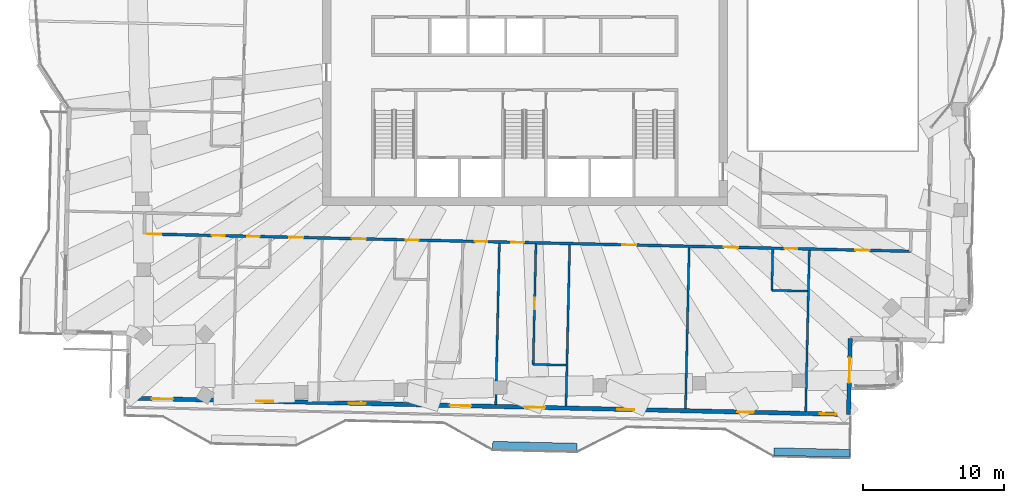
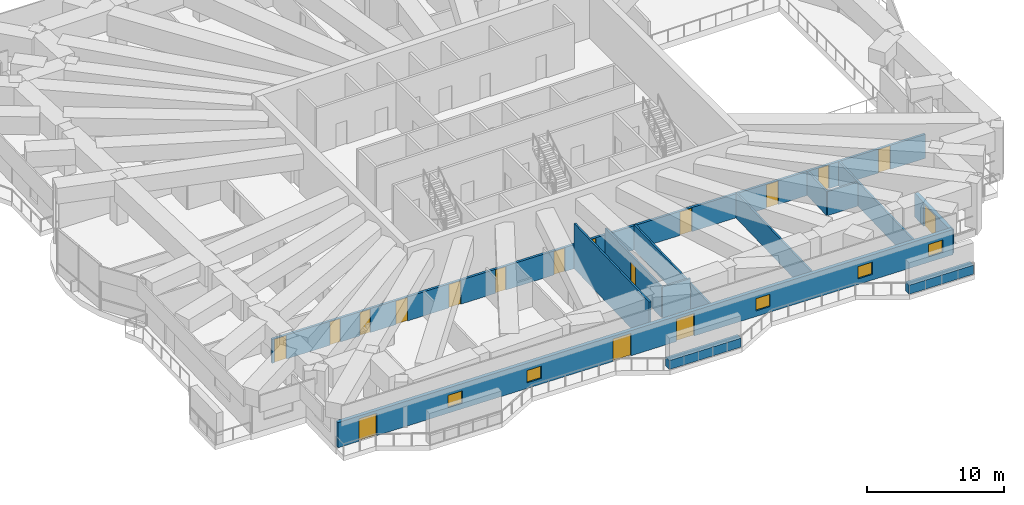
# One storey, part 10 of 20: 17 doors, 13 walls, 5 windows, 22 openings.
"""IFC4 building model written with IfcOpenShell, lengths in metres."""

from ifc_helpers import new_model, si_unit, direction, frame, frame_2d, origin, place, context, subcontext, project, spatial, rectangle, extrude, material, layer, layer_set, type_object, element, fill, save


model = new_model("IFC4")

# Units and contexts
model_context = context("Model", 3, precision=1e-05, world=origin(), true_north=direction((0.0, 1.0)))
body_context = subcontext(model_context, "Body", "Model", "MODEL_VIEW")
ifc_project = project(units=[si_unit("LENGTHUNIT", "METRE"), si_unit("AREAUNIT", "SQUARE_METRE"), si_unit("VOLUMEUNIT", "CUBIC_METRE"), si_unit("PLANEANGLEUNIT", "RADIAN"), si_unit("MASSUNIT", "GRAM", prefix="KILO")], contexts=[model_context])

# Site, building, storey
site_placement = place(None, origin())
site = spatial("IfcSite", under=ifc_project, at=site_placement, CompositionType="ELEMENT")
building_placement = place(site_placement, origin())
building = spatial("IfcBuilding", under=site, at=building_placement, Name="Mangrove Gate Tower", CompositionType="ELEMENT")
storey_placement = place(building_placement, frame((0.0, 0.0, 301.5)))
storey = spatial("IfcBuildingStorey", under=building, at=storey_placement, Name="L77", CompositionType="ELEMENT", Elevation=301.5)

# Wall, openings, doors
ifc_material_1 = material(Name="Gypsum board on steel stud, EI 60", Category="steel")
ifc_layer_1 = layer(ifc_material_1, 0.199951171875)
ifc_layer_set_1 = layer_set([ifc_layer_1], Name="Corridor wall EI 60")
wall_type_1 = type_object("IfcWallType", Name="Corridor wall EI 60", PredefinedType="PARTITIONING", material=ifc_layer_set_1)
wall_1_placement = place(storey_placement, frame((-27.05810546875, -13.426025390625, 0.0), z_axis=(0.0, 0.0, 1.0), x_axis=(0.999742445627, -0.022694545867, 0.0)))
wall_1 = element("IfcWall", 1, at=wall_1_placement, inside=storey, type_object=wall_type_1, Name="WALL-L77-021", PredefinedType="PARTITIONING", context=body_context, shape_type="SweptSolid", body=[
    extrude(rectangle(XDim=54.50927734375, YDim=0.199951171875, at=frame_2d((27.254638671875, 0.0))), origin(), (0.0, 0.0, 1.0), 2.14990234375),
])
opening_1_placement = place(wall_1_placement, frame((0.199951171875, 0.0, 0.0)))
opening_1 = element("IfcOpeningElement", 2, at=opening_1_placement, cuts=wall_1, Name="Opening AD", PredefinedType="OPENING", context=body_context, shape_type="SweptSolid", body=[
    extrude(rectangle(XDim=1.0, YDim=2.10009765625, at=frame_2d((0.5, 1.050048828125))), frame((0.0, 0.10986328125, 0.0), z_axis=(0.0, -1.0, 0.0), x_axis=(1.0, 0.0, 0.0)), (0.0, 0.0, 1.0), 0.219970703125),
])
opening_2_placement = place(wall_1_placement, frame((4.80908203125, 0.0, 0.0)))
opening_2 = element("IfcOpeningElement", 3, at=opening_2_placement, cuts=wall_1, Name="Opening SD", PredefinedType="OPENING", context=body_context, shape_type="SweptSolid", body=[
    extrude(rectangle(XDim=0.89990234375, YDim=2.10009765625, at=frame_2d((0.449951171875, 1.050048828125))), frame((0.0, 0.10986328125, 0.0), z_axis=(0.0, -1.0, 0.0), x_axis=(1.0, 0.0, 0.0)), (0.0, 0.0, 1.0), 0.219970703125),
])
opening_3_placement = place(wall_1_placement, frame((10.30908203125, 0.0, 0.0)))
opening_3 = element("IfcOpeningElement", 4, at=opening_3_placement, cuts=wall_1, Name="Opening AD", PredefinedType="OPENING", context=body_context, shape_type="SweptSolid", body=[
    extrude(rectangle(XDim=1.0, YDim=2.10009765625, at=frame_2d((0.5, 1.050048828125))), frame((0.0, 0.10986328125, 0.0), z_axis=(0.0, -1.0, 0.0), x_axis=(1.0, 0.0, 0.0)), (0.0, 0.0, 1.0), 0.219970703125),
])
opening_4_placement = place(wall_1_placement, frame((7.30908203125, 0.0, 0.0)))
opening_4 = element("IfcOpeningElement", 5, at=opening_4_placement, cuts=wall_1, Name="Opening SD", PredefinedType="OPENING", context=body_context, shape_type="SweptSolid", body=[
    extrude(rectangle(XDim=0.89990234375, YDim=2.10009765625, at=frame_2d((0.449951171875, 1.050048828125))), frame((0.0, 0.10986328125, 0.0), z_axis=(0.0, -1.0, 0.0), x_axis=(1.0, 0.0, 0.0)), (0.0, 0.0, 1.0), 0.219970703125),
])
opening_5_placement = place(wall_1_placement, frame((14.759033203125, 0.0, 0.0)))
opening_5 = element("IfcOpeningElement", 6, at=opening_5_placement, cuts=wall_1, Name="Opening AD", PredefinedType="OPENING", context=body_context, shape_type="SweptSolid", body=[
    extrude(rectangle(XDim=1.0, YDim=2.10009765625, at=frame_2d((0.5, 1.050048828125))), frame((0.0, 0.10986328125, 0.0), z_axis=(0.0, -1.0, 0.0), x_axis=(1.0, 0.0, 0.0)), (0.0, 0.0, 1.0), 0.219970703125),
])
opening_6_placement = place(wall_1_placement, frame((18.60888671875, 0.0, 0.0)))
opening_6 = element("IfcOpeningElement", 7, at=opening_6_placement, cuts=wall_1, Name="Opening SD", PredefinedType="OPENING", context=body_context, shape_type="SweptSolid", body=[
    extrude(rectangle(XDim=0.89990234375, YDim=2.10009765625, at=frame_2d((0.449951171875, 1.050048828125))), frame((0.0, 0.10986328125, 0.0), z_axis=(0.0, -1.0, 0.0), x_axis=(1.0, 0.0, 0.0)), (0.0, 0.0, 1.0), 0.219970703125),
])
opening_7_placement = place(wall_1_placement, frame((23.509033203125, 0.0, 0.0)))
opening_7 = element("IfcOpeningElement", 8, at=opening_7_placement, cuts=wall_1, Name="Opening BD", PredefinedType="OPENING", context=body_context, shape_type="SweptSolid", body=[
    extrude(rectangle(XDim=0.89990234375, YDim=2.10009765625, at=frame_2d((0.449951171875, 1.050048828125))), frame((0.0, 0.10986328125, 0.0), z_axis=(0.0, -1.0, 0.0), x_axis=(1.0, 0.0, 0.0)), (0.0, 0.0, 1.0), 0.219970703125),
])
opening_8_placement = place(wall_1_placement, frame((26.10888671875, 0.0, 0.0)))
opening_8 = element("IfcOpeningElement", 9, at=opening_8_placement, cuts=wall_1, Name="Opening BD", PredefinedType="OPENING", context=body_context, shape_type="SweptSolid", body=[
    extrude(rectangle(XDim=0.89990234375, YDim=2.10009765625, at=frame_2d((0.449951171875, 1.050048828125))), frame((0.0, 0.10986328125, 0.0), z_axis=(0.0, -1.0, 0.0), x_axis=(1.0, 0.0, 0.0)), (0.0, 0.0, 1.0), 0.219970703125),
])
opening_9_placement = place(wall_1_placement, frame((34.009033203125, 0.0, 0.0)))
opening_9 = element("IfcOpeningElement", 10, at=opening_9_placement, cuts=wall_1, Name="Opening AD", PredefinedType="OPENING", context=body_context, shape_type="SweptSolid", body=[
    extrude(rectangle(XDim=1.0, YDim=2.10009765625, at=frame_2d((0.5, 1.050048828125))), frame((0.0, 0.10986328125, 0.0), z_axis=(0.0, -1.0, 0.0), x_axis=(1.0, 0.0, 0.0)), (0.0, 0.0, 1.0), 0.219970703125),
])
opening_10_placement = place(wall_1_placement, frame((41.23388671875, 0.0, 0.0)))
opening_10 = element("IfcOpeningElement", 11, at=opening_10_placement, cuts=wall_1, Name="Opening AD", PredefinedType="OPENING", context=body_context, shape_type="SweptSolid", body=[
    extrude(rectangle(XDim=1.0, YDim=2.10009765625, at=frame_2d((0.5, 1.050048828125))), frame((0.0, 0.10986328125, 0.0), z_axis=(0.0, -1.0, 0.0), x_axis=(1.0, 0.0, 0.0)), (0.0, 0.0, 1.0), 0.219970703125),
])
opening_11_placement = place(wall_1_placement, frame((45.55908203125, 0.0, 0.0)))
opening_11 = element("IfcOpeningElement", 12, at=opening_11_placement, cuts=wall_1, Name="Opening SD", PredefinedType="OPENING", context=body_context, shape_type="SweptSolid", body=[
    extrude(rectangle(XDim=0.89990234375, YDim=2.10009765625, at=frame_2d((0.449951171875, 1.050048828125))), frame((0.0, 0.10986328125, 0.0), z_axis=(0.0, -1.0, 0.0), x_axis=(1.0, 0.0, 0.0)), (0.0, 0.0, 1.0), 0.219970703125),
])
opening_12_placement = place(wall_1_placement, frame((50.5869140625, 0.0, 0.0)))
opening_12 = element("IfcOpeningElement", 13, at=opening_12_placement, cuts=wall_1, Name="Opening AD", PredefinedType="OPENING", context=body_context, shape_type="SweptSolid", body=[
    extrude(rectangle(XDim=1.0, YDim=2.10009765625, at=frame_2d((0.5, 1.050048828125))), frame((0.0, 0.10986328125, 0.0), z_axis=(0.0, -1.0, 0.0), x_axis=(1.0, 0.0, 0.0)), (0.0, 0.0, 1.0), 0.219970703125),
])
ifc_material_2 = material(Name="Timber door leaf", Category="wood")
door_type_1 = type_object("IfcDoorType", Name="Amenity door 1000", OperationType="SINGLE_SWING_LEFT", PredefinedType="DOOR", material=ifc_material_2)
door_1_placement = place(opening_1_placement, origin())
door_1 = element("IfcDoor", 14, at=door_1_placement, inside=storey, type_object=door_type_1, Name="DOOR-L77-GAM-c1a", OperationType="SINGLE_SWING_LEFT", OverallHeight=2.10009765625, OverallWidth=1.0, PredefinedType="DOOR", context=body_context, shape_type="SweptSolid", body=[
    extrude(rectangle(XDim=1.0, YDim=2.10009765625, at=frame_2d((0.5, 1.050048828125))), frame((0.0, 0.02490234375, 0.0), z_axis=(0.0, -1.0, 0.0), x_axis=(1.0, 0.0, 0.0)), (0.0, 0.0, 1.0), 0.050048828125),
])
fill(opening_1, door_1)
door_2_placement = place(opening_3_placement, origin())
door_2 = element("IfcDoor", 15, at=door_2_placement, inside=storey, type_object=door_type_1, Name="DOOR-L77-KIT-c1a", OperationType="SINGLE_SWING_RIGHT", OverallHeight=2.10009765625, OverallWidth=1.0, PredefinedType="DOOR", context=body_context, shape_type="SweptSolid", body=[
    extrude(rectangle(XDim=1.0, YDim=2.10009765625, at=frame_2d((0.5, 1.050048828125))), frame((0.0, 0.02490234375, 0.0), z_axis=(0.0, -1.0, 0.0), x_axis=(1.0, 0.0, 0.0)), (0.0, 0.0, 1.0), 0.050048828125),
])
fill(opening_3, door_2)
door_3_placement = place(opening_5_placement, origin())
door_3 = element("IfcDoor", 16, at=door_3_placement, inside=storey, type_object=door_type_1, Name="DOOR-L77-GAM-c1b", OperationType="SINGLE_SWING_LEFT", OverallHeight=2.10009765625, OverallWidth=1.0, PredefinedType="DOOR", context=body_context, shape_type="SweptSolid", body=[
    extrude(rectangle(XDim=1.0, YDim=2.10009765625, at=frame_2d((0.5, 1.050048828125))), frame((0.0, 0.02490234375, 0.0), z_axis=(0.0, -1.0, 0.0), x_axis=(1.0, 0.0, 0.0)), (0.0, 0.0, 1.0), 0.050048828125),
])
fill(opening_5, door_3)
door_4_placement = place(opening_9_placement, origin())
door_4 = element("IfcDoor", 17, at=door_4_placement, inside=storey, type_object=door_type_1, Name="DOOR-L77-LNG-c2a", OperationType="SINGLE_SWING_RIGHT", OverallHeight=2.10009765625, OverallWidth=1.0, PredefinedType="DOOR", context=body_context, shape_type="SweptSolid", body=[
    extrude(rectangle(XDim=1.0, YDim=2.10009765625, at=frame_2d((0.5, 1.050048828125))), frame((0.0, 0.02490234375, 0.0), z_axis=(0.0, -1.0, 0.0), x_axis=(1.0, 0.0, 0.0)), (0.0, 0.0, 1.0), 0.050048828125),
])
fill(opening_9, door_4)
door_5_placement = place(opening_10_placement, origin())
door_5 = element("IfcDoor", 18, at=door_5_placement, inside=storey, type_object=door_type_1, Name="DOOR-L77-LNG-c2b", OperationType="SINGLE_SWING_LEFT", OverallHeight=2.10009765625, OverallWidth=1.0, PredefinedType="DOOR", context=body_context, shape_type="SweptSolid", body=[
    extrude(rectangle(XDim=1.0, YDim=2.10009765625, at=frame_2d((0.5, 1.050048828125))), frame((0.0, 0.02490234375, 0.0), z_axis=(0.0, -1.0, 0.0), x_axis=(1.0, 0.0, 0.0)), (0.0, 0.0, 1.0), 0.050048828125),
])
fill(opening_10, door_5)
door_6_placement = place(opening_12_placement, origin())
door_6 = element("IfcDoor", 19, at=door_6_placement, inside=storey, type_object=door_type_1, Name="DOOR-L77-STU-c2a", OperationType="SINGLE_SWING_RIGHT", OverallHeight=2.10009765625, OverallWidth=1.0, PredefinedType="DOOR", context=body_context, shape_type="SweptSolid", body=[
    extrude(rectangle(XDim=1.0, YDim=2.10009765625, at=frame_2d((0.5, 1.050048828125))), frame((0.0, 0.02490234375, 0.0), z_axis=(0.0, -1.0, 0.0), x_axis=(1.0, 0.0, 0.0)), (0.0, 0.0, 1.0), 0.050048828125),
])
fill(opening_12, door_6)
ifc_material_3 = material(Name="Timber door leaf", Category="wood")
door_type_2 = type_object("IfcDoorType", Name="Bedroom door 900", OperationType="SINGLE_SWING_LEFT", PredefinedType="DOOR", material=ifc_material_3)
door_7_placement = place(opening_7_placement, origin())
door_7 = element("IfcDoor", 20, at=door_7_placement, inside=storey, type_object=door_type_2, Name="DOOR-L77-BED-c101", OperationType="SINGLE_SWING_LEFT", OverallHeight=2.10009765625, OverallWidth=0.89990234375, PredefinedType="DOOR", context=body_context, shape_type="SweptSolid", body=[
    extrude(rectangle(XDim=0.89990234375, YDim=2.10009765625, at=frame_2d((0.449951171875, 1.050048828125))), frame((0.0, 0.02490234375, 0.0), z_axis=(0.0, -1.0, 0.0), x_axis=(1.0, 0.0, 0.0)), (0.0, 0.0, 1.0), 0.050048828125),
])
fill(opening_7, door_7)
door_8_placement = place(opening_8_placement, origin())
door_8 = element("IfcDoor", 21, at=door_8_placement, inside=storey, type_object=door_type_2, Name="DOOR-L77-BED-c102", OperationType="SINGLE_SWING_RIGHT", OverallHeight=2.10009765625, OverallWidth=0.89990234375, PredefinedType="DOOR", context=body_context, shape_type="SweptSolid", body=[
    extrude(rectangle(XDim=0.89990234375, YDim=2.10009765625, at=frame_2d((0.449951171875, 1.050048828125))), frame((0.0, 0.02490234375, 0.0), z_axis=(0.0, -1.0, 0.0), x_axis=(1.0, 0.0, 0.0)), (0.0, 0.0, 1.0), 0.050048828125),
])
fill(opening_8, door_8)
ifc_material_4 = material(Name="Timber door leaf", Category="wood")
door_type_3 = type_object("IfcDoorType", Name="Service room door 900", OperationType="SINGLE_SWING_LEFT", PredefinedType="DOOR", material=ifc_material_4)
door_9_placement = place(opening_2_placement, origin())
door_9 = element("IfcDoor", 22, at=door_9_placement, inside=storey, type_object=door_type_3, Name="DOOR-L77-AWC-c1a", OperationType="SINGLE_SWING_LEFT", OverallHeight=2.10009765625, OverallWidth=0.89990234375, PredefinedType="DOOR", context=body_context, shape_type="SweptSolid", body=[
    extrude(rectangle(XDim=0.89990234375, YDim=2.10009765625, at=frame_2d((0.449951171875, 1.050048828125))), frame((0.0, 0.02490234375, 0.0), z_axis=(0.0, -1.0, 0.0), x_axis=(1.0, 0.0, 0.0)), (0.0, 0.0, 1.0), 0.050048828125),
])
fill(opening_2, door_9)
door_10_placement = place(opening_4_placement, origin())
door_10 = element("IfcDoor", 23, at=door_10_placement, inside=storey, type_object=door_type_3, Name="DOOR-L77-LIN-c1a", OperationType="SINGLE_SWING_RIGHT", OverallHeight=2.10009765625, OverallWidth=0.89990234375, PredefinedType="DOOR", context=body_context, shape_type="SweptSolid", body=[
    extrude(rectangle(XDim=0.89990234375, YDim=2.10009765625, at=frame_2d((0.449951171875, 1.050048828125))), frame((0.0, 0.02490234375, 0.0), z_axis=(0.0, -1.0, 0.0), x_axis=(1.0, 0.0, 0.0)), (0.0, 0.0, 1.0), 0.050048828125),
])
fill(opening_4, door_10)
door_11_placement = place(opening_6_placement, origin())
door_11 = element("IfcDoor", 24, at=door_11_placement, inside=storey, type_object=door_type_3, Name="DOOR-L77-WC-c1a", OperationType="SINGLE_SWING_LEFT", OverallHeight=2.10009765625, OverallWidth=0.89990234375, PredefinedType="DOOR", context=body_context, shape_type="SweptSolid", body=[
    extrude(rectangle(XDim=0.89990234375, YDim=2.10009765625, at=frame_2d((0.449951171875, 1.050048828125))), frame((0.0, 0.02490234375, 0.0), z_axis=(0.0, -1.0, 0.0), x_axis=(1.0, 0.0, 0.0)), (0.0, 0.0, 1.0), 0.050048828125),
])
fill(opening_6, door_11)
door_12_placement = place(opening_11_placement, origin())
door_12 = element("IfcDoor", 25, at=door_12_placement, inside=storey, type_object=door_type_3, Name="DOOR-L77-AWC-c2a", OperationType="SINGLE_SWING_RIGHT", OverallHeight=2.10009765625, OverallWidth=0.89990234375, PredefinedType="DOOR", context=body_context, shape_type="SweptSolid", body=[
    extrude(rectangle(XDim=0.89990234375, YDim=2.10009765625, at=frame_2d((0.449951171875, 1.050048828125))), frame((0.0, 0.02490234375, 0.0), z_axis=(0.0, -1.0, 0.0), x_axis=(1.0, 0.0, 0.0)), (0.0, 0.0, 1.0), 0.050048828125),
])
fill(opening_11, door_12)

# Wall, openings, doors, windows
ifc_material_5 = material(Name="Limestone", Category="masonry")
ifc_layer_2 = layer(ifc_material_5, 0.0400390625, Name="Limestone cladding")
ifc_material_6 = material(Name="Ventilated air gap")
ifc_layer_3 = layer(ifc_material_6, 0.0400390625, Name="Ventilated cavity")
ifc_material_7 = material(Name="Mineral wool insulation")
ifc_layer_4 = layer(ifc_material_7, 0.06005859375, Name="Insulation")
ifc_material_8 = material(Name="Breather membrane")
ifc_layer_5 = layer(ifc_material_8, 0.001953125, Name="Breather membrane")
ifc_material_9 = material(Name="Concrete C20/25 blockwork", Category="masonry")
ifc_layer_6 = layer(ifc_material_9, 0.14990234375, Name="Blockwork backing wall")
ifc_material_10 = material(Name="Gypsum plaster")
ifc_layer_7 = layer(ifc_material_10, 0.008056640625, Name="Internal plaster")
ifc_layer_set_2 = layer_set([ifc_layer_2, ifc_layer_3, ifc_layer_4, ifc_layer_5, ifc_layer_6, ifc_layer_7], Name="External wall 300 limestone cladding")
wall_type_2 = type_object("IfcWallType", Name="External wall 300 limestone cladding", PredefinedType="SOLIDWALL", material=ifc_layer_set_2)
wall_2_placement = place(storey_placement, frame((-28.263916015625, -25.10205078125, 0.0), z_axis=(0.0, 0.0, 1.0), x_axis=(0.999742520573, -0.022691244094, 0.0)))
wall_2 = element("IfcWall", 26, at=wall_2_placement, inside=storey, type_object=wall_type_2, Name="WALL-L77-S13", PredefinedType="SOLIDWALL", context=body_context, shape_type="SweptSolid", body=[
    extrude(rectangle(XDim=51.300048828125, YDim=0.300048828125, at=frame_2d((25.64990234375, 0.0))), origin(), (0.0, 0.0, 1.0), 2.25),
])
opening_13_placement = place(wall_2_placement, frame((1.7451171875, 0.0, 0.0)))
opening_13 = element("IfcOpeningElement", 27, at=opening_13_placement, cuts=wall_2, Name="Opening BD3", PredefinedType="OPENING", context=body_context, shape_type="SweptSolid", body=[
    extrude(rectangle(XDim=1.5, YDim=2.0, at=frame_2d((0.75, 1.0))), frame((0.0, 0.159912109375, 0.0), z_axis=(0.0, -1.0, 0.0), x_axis=(1.0, 0.0, 0.0)), (0.0, 0.0, 1.0), 0.320068359375),
])
opening_14_placement = place(wall_2_placement, frame((9.177978515625, 0.0, 0.5)))
opening_14 = element("IfcOpeningElement", 28, at=opening_14_placement, cuts=wall_2, Name="Opening W6", PredefinedType="OPENING", context=body_context, shape_type="SweptSolid", body=[
    extrude(rectangle(XDim=1.199951171875, YDim=1.10009765625, at=frame_2d((0.60009765625, 0.550048828125))), frame((0.0, 0.159912109375, 0.0), z_axis=(0.0, -1.0, 0.0), x_axis=(1.0, 0.0, 0.0)), (0.0, 0.0, 1.0), 0.320068359375),
])
opening_15_placement = place(wall_2_placement, frame((15.762939453125, 0.0, 0.5)))
opening_15 = element("IfcOpeningElement", 29, at=opening_15_placement, cuts=wall_2, Name="Opening W6", PredefinedType="OPENING", context=body_context, shape_type="SweptSolid", body=[
    extrude(rectangle(XDim=1.199951171875, YDim=1.10009765625, at=frame_2d((0.60009765625, 0.550048828125))), frame((0.0, 0.159912109375, 0.0), z_axis=(0.0, -1.0, 0.0), x_axis=(1.0, 0.0, 0.0)), (0.0, 0.0, 1.0), 0.320068359375),
])
opening_16_placement = place(wall_2_placement, frame((22.949951171875, 0.0, 0.0)))
opening_16 = element("IfcOpeningElement", 30, at=opening_16_placement, cuts=wall_2, Name="Opening BD3", PredefinedType="OPENING", context=body_context, shape_type="SweptSolid", body=[
    extrude(rectangle(XDim=1.5, YDim=2.0, at=frame_2d((0.75, 1.0))), frame((0.0, 0.159912109375, 0.0), z_axis=(0.0, -1.0, 0.0), x_axis=(1.0, 0.0, 0.0)), (0.0, 0.0, 1.0), 0.320068359375),
])
opening_17_placement = place(wall_2_placement, frame((28.218994140625, 0.0, 0.0)))
opening_17 = element("IfcOpeningElement", 31, at=opening_17_placement, cuts=wall_2, Name="Opening BD3", PredefinedType="OPENING", context=body_context, shape_type="SweptSolid", body=[
    extrude(rectangle(XDim=1.5, YDim=2.0, at=frame_2d((0.75, 1.0))), frame((0.0, 0.159912109375, 0.0), z_axis=(0.0, -1.0, 0.0), x_axis=(1.0, 0.0, 0.0)), (0.0, 0.0, 1.0), 0.320068359375),
])
opening_18_placement = place(wall_2_placement, frame((34.85009765625, 0.0, 0.5)))
opening_18 = element("IfcOpeningElement", 32, at=opening_18_placement, cuts=wall_2, Name="Opening W6", PredefinedType="OPENING", context=body_context, shape_type="SweptSolid", body=[
    extrude(rectangle(XDim=1.199951171875, YDim=1.10009765625, at=frame_2d((0.60009765625, 0.550048828125))), frame((0.0, 0.159912109375, 0.0), z_axis=(0.0, -1.0, 0.0), x_axis=(1.0, 0.0, 0.0)), (0.0, 0.0, 1.0), 0.320068359375),
])
opening_19_placement = place(wall_2_placement, frame((43.375, 0.0, 0.5)))
opening_19 = element("IfcOpeningElement", 33, at=opening_19_placement, cuts=wall_2, Name="Opening W6", PredefinedType="OPENING", context=body_context, shape_type="SweptSolid", body=[
    extrude(rectangle(XDim=1.199951171875, YDim=1.10009765625, at=frame_2d((0.60009765625, 0.550048828125))), frame((0.0, 0.159912109375, 0.0), z_axis=(0.0, -1.0, 0.0), x_axis=(1.0, 0.0, 0.0)), (0.0, 0.0, 1.0), 0.320068359375),
])
opening_20_placement = place(wall_2_placement, frame((49.25, 0.0, 0.5)))
opening_20 = element("IfcOpeningElement", 34, at=opening_20_placement, cuts=wall_2, Name="Opening W6", PredefinedType="OPENING", context=body_context, shape_type="SweptSolid", body=[
    extrude(rectangle(XDim=1.199951171875, YDim=1.10009765625, at=frame_2d((0.60009765625, 0.550048828125))), frame((0.0, 0.159912109375, 0.0), z_axis=(0.0, -1.0, 0.0), x_axis=(1.0, 0.0, 0.0)), (0.0, 0.0, 1.0), 0.320068359375),
])
ifc_material_11 = material(Name="Aluminium frame with laminated clear glass", Category="aluminium")
door_type_4 = type_object("IfcDoorType", Name="Balcony sliding door 1500x2000", OperationType="SLIDING_TO_LEFT", PredefinedType="DOOR", material=ifc_material_11)
door_13_placement = place(opening_13_placement, origin())
door_13 = element("IfcDoor", 35, at=door_13_placement, inside=storey, type_object=door_type_4, Name="DOOR-L77-S13-1", OperationType="SLIDING_TO_LEFT", OverallHeight=2.0, OverallWidth=1.5, PredefinedType="DOOR", context=body_context, shape_type="SweptSolid", body=[
    extrude(rectangle(XDim=1.5, YDim=2.0, at=frame_2d((0.75, 1.0))), frame((0.0, 0.02490234375, 0.0), z_axis=(0.0, -1.0, 0.0), x_axis=(1.0, 0.0, 0.0)), (0.0, 0.0, 1.0), 0.050048828125),
])
fill(opening_13, door_13)
door_14_placement = place(opening_16_placement, origin())
door_14 = element("IfcDoor", 36, at=door_14_placement, inside=storey, type_object=door_type_4, Name="DOOR-L77-S13-4", OperationType="SLIDING_TO_LEFT", OverallHeight=2.0, OverallWidth=1.5, PredefinedType="DOOR", context=body_context, shape_type="SweptSolid", body=[
    extrude(rectangle(XDim=1.5, YDim=2.0, at=frame_2d((0.75, 1.0))), frame((0.0, 0.02490234375, 0.0), z_axis=(0.0, -1.0, 0.0), x_axis=(1.0, 0.0, 0.0)), (0.0, 0.0, 1.0), 0.050048828125),
])
fill(opening_16, door_14)
door_15_placement = place(opening_17_placement, origin())
door_15 = element("IfcDoor", 37, at=door_15_placement, inside=storey, type_object=door_type_4, Name="DOOR-L77-S13-5", OperationType="SLIDING_TO_LEFT", OverallHeight=2.0, OverallWidth=1.5, PredefinedType="DOOR", context=body_context, shape_type="SweptSolid", body=[
    extrude(rectangle(XDim=1.5, YDim=2.0, at=frame_2d((0.75, 1.0))), frame((0.0, 0.02490234375, 0.0), z_axis=(0.0, -1.0, 0.0), x_axis=(1.0, 0.0, 0.0)), (0.0, 0.0, 1.0), 0.050048828125),
])
fill(opening_17, door_15)
ifc_material_12 = material(Name="Aluminium frame with double-glazed low-e glass", Category="aluminium")
window_type = type_object("IfcWindowType", Name="Low window 1200x1100", PartitioningType="SINGLE_PANEL", PredefinedType="WINDOW", material=ifc_material_12)
window_1_placement = place(opening_14_placement, origin())
window_1 = element("IfcWindow", 38, at=window_1_placement, inside=storey, type_object=window_type, Name="WIN-L77-S13-2", OverallHeight=1.10009765625, OverallWidth=1.199951171875, PartitioningType="SINGLE_PANEL", PredefinedType="WINDOW", context=body_context, shape_type="SweptSolid", body=[
    extrude(rectangle(XDim=1.199951171875, YDim=1.10009765625, at=frame_2d((0.60009765625, 0.550048828125))), frame((0.0, 0.030029296875, 0.0), z_axis=(0.0, -1.0, 0.0), x_axis=(1.0, 0.0, 0.0)), (0.0, 0.0, 1.0), 0.06005859375),
])
fill(opening_14, window_1)
window_2_placement = place(opening_15_placement, origin())
window_2 = element("IfcWindow", 39, at=window_2_placement, inside=storey, type_object=window_type, Name="WIN-L77-S13-3", OverallHeight=1.10009765625, OverallWidth=1.199951171875, PartitioningType="SINGLE_PANEL", PredefinedType="WINDOW", context=body_context, shape_type="SweptSolid", body=[
    extrude(rectangle(XDim=1.199951171875, YDim=1.10009765625, at=frame_2d((0.60009765625, 0.550048828125))), frame((0.0, 0.030029296875, 0.0), z_axis=(0.0, -1.0, 0.0), x_axis=(1.0, 0.0, 0.0)), (0.0, 0.0, 1.0), 0.06005859375),
])
fill(opening_15, window_2)
window_3_placement = place(opening_18_placement, origin())
window_3 = element("IfcWindow", 40, at=window_3_placement, inside=storey, type_object=window_type, Name="WIN-L77-S13-6", OverallHeight=1.10009765625, OverallWidth=1.199951171875, PartitioningType="SINGLE_PANEL", PredefinedType="WINDOW", context=body_context, shape_type="SweptSolid", body=[
    extrude(rectangle(XDim=1.199951171875, YDim=1.10009765625, at=frame_2d((0.60009765625, 0.550048828125))), frame((0.0, 0.030029296875, 0.0), z_axis=(0.0, -1.0, 0.0), x_axis=(1.0, 0.0, 0.0)), (0.0, 0.0, 1.0), 0.06005859375),
])
fill(opening_18, window_3)
window_4_placement = place(opening_19_placement, origin())
window_4 = element("IfcWindow", 41, at=window_4_placement, inside=storey, type_object=window_type, Name="WIN-L77-S13-7", OverallHeight=1.10009765625, OverallWidth=1.199951171875, PartitioningType="SINGLE_PANEL", PredefinedType="WINDOW", context=body_context, shape_type="SweptSolid", body=[
    extrude(rectangle(XDim=1.199951171875, YDim=1.10009765625, at=frame_2d((0.60009765625, 0.550048828125))), frame((0.0, 0.030029296875, 0.0), z_axis=(0.0, -1.0, 0.0), x_axis=(1.0, 0.0, 0.0)), (0.0, 0.0, 1.0), 0.06005859375),
])
fill(opening_19, window_4)
window_5_placement = place(opening_20_placement, origin())
window_5 = element("IfcWindow", 42, at=window_5_placement, inside=storey, type_object=window_type, Name="WIN-L77-S13-8", OverallHeight=1.10009765625, OverallWidth=1.199951171875, PartitioningType="SINGLE_PANEL", PredefinedType="WINDOW", context=body_context, shape_type="SweptSolid", body=[
    extrude(rectangle(XDim=1.199951171875, YDim=1.10009765625, at=frame_2d((0.60009765625, 0.550048828125))), frame((0.0, 0.030029296875, 0.0), z_axis=(0.0, -1.0, 0.0), x_axis=(1.0, 0.0, 0.0)), (0.0, 0.0, 1.0), 0.06005859375),
])
fill(opening_20, window_5)

# Wall, opening, door
wall_3_placement = place(storey_placement, frame((23.02294921875, -26.26611328125, 0.0), z_axis=(0.0, 0.0, 1.0), x_axis=(0.022784045517, 0.999740409941, 0.0)))
wall_3 = element("IfcWall", 43, at=wall_3_placement, inside=storey, type_object=wall_type_2, Name="WALL-L77-E14", PredefinedType="SOLIDWALL", context=body_context, shape_type="SweptSolid", body=[
    extrude(rectangle(XDim=5.400634765625, YDim=0.300048828125, at=frame_2d((2.7001953125, 0.0))), origin(), (0.0, 0.0, 1.0), 2.14990234375),
])
opening_21_placement = place(wall_3_placement, frame((2.25, 0.0, 0.0)))
opening_21 = element("IfcOpeningElement", 44, at=opening_21_placement, cuts=wall_3, Name="Opening TD2", PredefinedType="OPENING", context=body_context, shape_type="SweptSolid", body=[
    extrude(rectangle(XDim=1.800048828125, YDim=2.0, at=frame_2d((0.89990234375, 1.0))), frame((0.0, 0.159912109375, 0.0), z_axis=(0.0, -1.0, 0.0), x_axis=(1.0, 0.0, 0.0)), (0.0, 0.0, 1.0), 0.320068359375),
])
ifc_material_13 = material(Name="Aluminium frame with laminated clear glass", Category="aluminium")
door_type_5 = type_object("IfcDoorType", Name="Terrace door 1800x2000", OperationType="DOUBLE_DOOR_SINGLE_SWING", PredefinedType="DOOR", material=ifc_material_13)
door_16_placement = place(opening_21_placement, origin())
door_16 = element("IfcDoor", 45, at=door_16_placement, inside=storey, type_object=door_type_5, Name="DOOR-L77-E14-1", OperationType="DOUBLE_DOOR_SINGLE_SWING", OverallHeight=2.0, OverallWidth=1.800048828125, PredefinedType="DOOR", context=body_context, shape_type="SweptSolid", body=[
    extrude(rectangle(XDim=1.800048828125, YDim=2.0, at=frame_2d((0.89990234375, 1.0))), frame((0.0, 0.02490234375, 0.0), z_axis=(0.0, -1.0, 0.0), x_axis=(1.0, 0.0, 0.0)), (0.0, 0.0, 1.0), 0.050048828125),
])
fill(opening_21, door_16)

# Walls
ifc_material_14 = material(Name="Gypsum board on steel stud, EI 60", Category="steel")
ifc_layer_8 = layer(ifc_material_14, 0.14990234375)
ifc_layer_set_3 = layer_set([ifc_layer_8], Name="Party wall 150 EI 60")
wall_type_3 = type_object("IfcWallType", Name="Party wall 150 EI 60", PredefinedType="PARTITIONING", material=ifc_layer_set_3)
wall_4_placement = place(storey_placement, frame((-2.06689453125, -25.547119140625, 0.0), z_axis=(0.0, 0.0, 1.0), x_axis=(0.022706391805, 0.999742176649, 0.0)))
element("IfcWall", 46, at=wall_4_placement, inside=storey, type_object=wall_type_3, Name="WALL-L77-004", PredefinedType="PARTITIONING", context=body_context, shape_type="SweptSolid", body=[
    extrude(rectangle(XDim=11.450927734375, YDim=0.14990234375, at=frame_2d((5.7255859375, 0.0))), origin(), (0.0, 0.0, 1.0), 4.050048828125),
])
for number, where, z_axis, x_axis, name in (
    (47, (2.931884765625, -25.659912109375, 0.0), (0.0, 0.0, 1.0), (0.022623082162, 0.999744065325, 0.0), "WALL-L77-005"),
    (48, (11.428955078125, -25.85302734375, 0.0), (0.0, 0.0, 1.0), (0.022708327922, 0.999742132674, 0.0), "WALL-L77-006"),
):
    element("IfcWall", number, at=place(storey_placement, frame(where, z_axis=z_axis, x_axis=x_axis)), inside=storey, type_object=wall_type_3, Name=name, PredefinedType="PARTITIONING", context=body_context, shape_type="SweptSolid", body=[
        extrude(rectangle(XDim=11.449951171875, YDim=0.14990234375, at=frame_2d((5.72509765625, 0.0))), origin(), (0.0, 0.0, 1.0), 2.25),
    ])
wall_5_placement = place(storey_placement, frame((19.97705078125, -26.047119140625, 0.0), z_axis=(0.0, 0.0, 1.0), x_axis=(0.022708327922, 0.999742132674, 0.0)))
element("IfcWall", 49, at=wall_5_placement, inside=storey, type_object=wall_type_3, Name="WALL-L77-007", PredefinedType="PARTITIONING", context=body_context, shape_type="SweptSolid", body=[
    extrude(rectangle(XDim=11.449951171875, YDim=0.14990234375, at=frame_2d((5.72509765625, 0.0))), origin(), (0.0, 0.0, 1.0), 2.14990234375),
])
wall_6_placement = place(storey_placement, frame((0.597900390625, -22.7060546875, 0.0), z_axis=(0.0, 0.0, 1.0), x_axis=(0.99974031529, -0.022788198363, 0.0)))
element("IfcWall", 50, at=wall_6_placement, inside=storey, type_object=wall_type_3, Name="WALL-L77-010", PredefinedType="PARTITIONING", context=body_context, shape_type="SweptSolid", body=[
    extrude(rectangle(XDim=2.32470703125, YDim=0.14990234375, at=frame_2d((1.162353515625, 0.0))), origin(), (0.0, 0.0, 1.0), 2.75),
])

# Wall, opening, door
wall_7_placement = place(storey_placement, frame((0.597900390625, -22.7060546875, 0.0), z_axis=(0.0, 0.0, 1.0), x_axis=(0.022700001308, 0.999742321771, 0.0)))
wall_7 = element("IfcWall", 51, at=wall_7_placement, inside=storey, type_object=wall_type_3, Name="WALL-L77-011", PredefinedType="PARTITIONING", context=body_context, shape_type="SweptSolid", body=[
    extrude(rectangle(XDim=8.55029296875, YDim=0.14990234375, at=frame_2d((4.275146484375, 0.0))), origin(), (0.0, 0.0, 1.0), 2.75),
])
opening_22_placement = place(wall_7_placement, frame((3.925048828125, 0.0, 0.0)))
opening_22 = element("IfcOpeningElement", 52, at=opening_22_placement, cuts=wall_7, Name="Opening ED", PredefinedType="OPENING", context=body_context, shape_type="SweptSolid", body=[
    extrude(rectangle(XDim=0.800048828125, YDim=2.10009765625, at=frame_2d((0.39990234375, 1.050048828125))), frame((0.0, 0.0849609375, 0.0), z_axis=(0.0, -1.0, 0.0), x_axis=(1.0, 0.0, 0.0)), (0.0, 0.0, 1.0), 0.169921875),
])
ifc_material_15 = material(Name="Timber door leaf", Category="wood")
door_type_6 = type_object("IfcDoorType", Name="En-suite door 800", OperationType="SINGLE_SWING_LEFT", PredefinedType="DOOR", material=ifc_material_15)
door_17_placement = place(opening_22_placement, origin())
door_17 = element("IfcDoor", 53, at=door_17_placement, inside=storey, type_object=door_type_6, Name="DOOR-L77-ENS-c102", OperationType="SINGLE_SWING_RIGHT", OverallHeight=2.10009765625, OverallWidth=0.800048828125, PredefinedType="DOOR", context=body_context, shape_type="SweptSolid", body=[
    extrude(rectangle(XDim=0.800048828125, YDim=2.10009765625, at=frame_2d((0.39990234375, 1.050048828125))), frame((0.0, 0.02490234375, 0.0), z_axis=(0.0, -1.0, 0.0), x_axis=(1.0, 0.0, 0.0)), (0.0, 0.0, 1.0), 0.050048828125),
])
fill(opening_22, door_17)

# Walls
wall_8_placement = place(storey_placement, frame((17.572021484375, -17.43994140625, 0.0), z_axis=(0.0, 0.0, 1.0), x_axis=(0.99974392816, -0.022629142889, 0.0)))
element("IfcWall", 54, at=wall_8_placement, inside=storey, type_object=wall_type_3, Name="WALL-L77-014", PredefinedType="PARTITIONING", context=body_context, shape_type="SweptSolid", body=[
    extrude(rectangle(XDim=2.524658203125, YDim=0.14990234375, at=frame_2d((1.26220703125, 0.0))), origin(), (0.0, 0.0, 1.0), 2.14990234375),
])
wall_9_placement = place(storey_placement, frame((17.572021484375, -17.43994140625, 0.0), z_axis=(0.0, 0.0, 1.0), x_axis=(0.022732880677, 0.999741574676, 0.0)))
element("IfcWall", 55, at=wall_9_placement, inside=storey, type_object=wall_type_3, Name="WALL-L77-015", PredefinedType="PARTITIONING", context=body_context, shape_type="SweptSolid", body=[
    extrude(rectangle(XDim=2.899658203125, YDim=0.14990234375, at=frame_2d((1.44970703125, 0.0))), origin(), (0.0, 0.0, 1.0), 2.14990234375),
])
ifc_material_16 = material(Name="Concrete C32/40", Category="concrete")
ifc_layer_9 = layer(ifc_material_16, 0.199951171875, Name="Planter trough wall")
ifc_material_17 = material(Name="Bituminous waterproofing membrane")
ifc_layer_10 = layer(ifc_material_17, 0.0048828125, Name="Waterproofing")
ifc_material_18 = material(Name="Drainage board and gravel")
ifc_layer_11 = layer(ifc_material_18, 0.044921875, Name="Drainage layer")
ifc_material_19 = material(Name="Planting soil")
ifc_layer_12 = layer(ifc_material_19, 0.300048828125, Name="Growing medium")
ifc_layer_set_4 = layer_set([ifc_layer_9, ifc_layer_10, ifc_layer_11, ifc_layer_12], Name="Planter wall 550 C32/40")
wall_type_4 = type_object("IfcWallType", Name="Planter wall 550 C32/40", PredefinedType="USERDEFINED", material=ifc_layer_set_4)
wall_10_placement = place(storey_placement, frame((-2.282958984375, -28.45703125, 0.0), z_axis=(0.0, 0.0, 1.0), x_axis=(0.999743094499, -0.022665943652, 0.0)))
element("IfcWall", 56, at=wall_10_placement, inside=storey, type_object=wall_type_4, Name="PLANTER L77 S1.1", ObjectType="PLANTER", PredefinedType="USERDEFINED", context=body_context, shape_type="SweptSolid", body=[
    extrude(rectangle(XDim=5.99951171875, YDim=0.550048828125, at=frame_2d((2.999755859375, 0.0))), origin(), (0.0, 0.0, 1.0), 0.800048828125),
])
wall_11_placement = place(storey_placement, frame((17.7109375, -28.910888671875, 0.0), z_axis=(0.0, 0.0, 1.0), x_axis=(0.999744512495, -0.022603312514, 0.0)))
element("IfcWall", 57, at=wall_11_placement, inside=storey, type_object=wall_type_4, Name="PLANTER L77 S1.2", ObjectType="PLANTER", PredefinedType="USERDEFINED", context=body_context, shape_type="SweptSolid", body=[
    extrude(rectangle(XDim=5.400634765625, YDim=0.550048828125, at=frame_2d((2.7001953125, 0.0))), origin(), (0.0, 0.0, 1.0), 0.800048828125),
])

save(model, "model.ifc")
